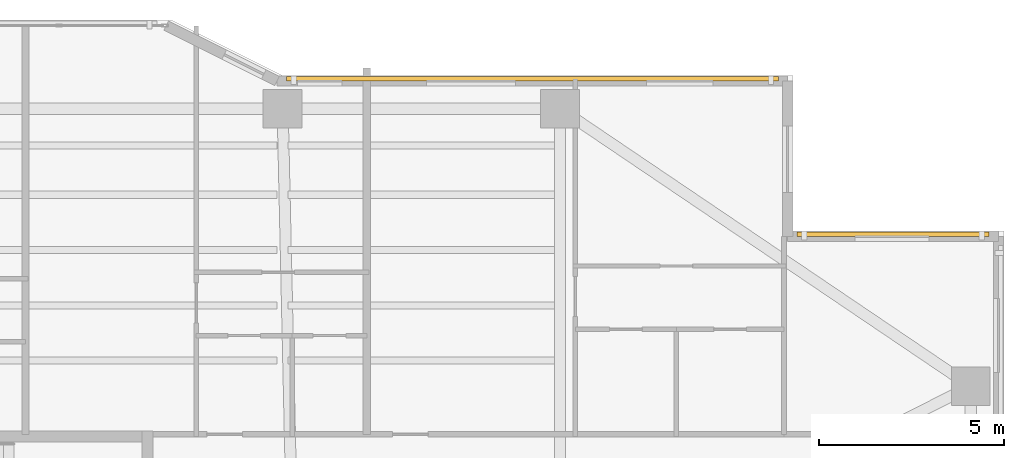
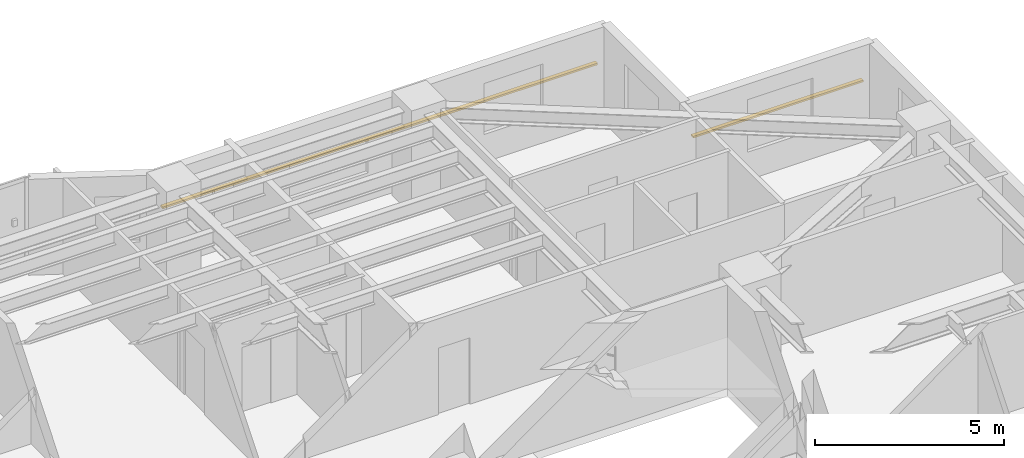
# One storey, part 18 of 18: 2 shading devices.
"""IFC4 building model written with IfcOpenShell, lengths in metres."""

import ifcopenshell
import ifcopenshell.guid

model = None  # the IFC model being written
_history = None  # IfcOwnerHistory: only IFC2X3 demands one
_inside = {}  # id of a spatial element -> (the spatial element, [elements in it])
_under = {}  # id of a project, library or spatial element -> (it, [spatial elements below it])
_declared = {}  # id of a project -> (the project, [libraries it declares])
_typed = {}  # id of a type object -> (the type object, [elements of that type])
_made_of = {}  # id of a material, layer set ... -> (it, [elements and type objects made of it])


def new_model(schema):
    """Start an empty IFC model of exactly this schema.

    Asked for "IFC4X3", IfcOpenShell would pick the latest addendum, in which some entities
    have other attributes; the version numbers below select the first issue.
    IFC2X3 requires an IfcOwnerHistory on every rooted entity: one is made here for all.
    """
    global model, _history
    if schema == "IFC4X3":
        model = ifcopenshell.file(schema_version=(4, 3, 0, 0))
    else:
        model = ifcopenshell.file(schema=schema)
    _inside.clear()
    _under.clear()
    _declared.clear()
    _typed.clear()
    _made_of.clear()
    _history = None
    if model.schema == "IFC2X3":
        org = make("IfcOrganization", Name="unknown")
        user = make(
            "IfcPersonAndOrganization",
            ThePerson=make("IfcPerson", FamilyName="unknown"),
            TheOrganization=org,
        )
        app = make(
            "IfcApplication",
            ApplicationDeveloper=org,
            Version="unknown",
            ApplicationFullName="unknown",
            ApplicationIdentifier="unknown",
        )
        _history = make(
            "IfcOwnerHistory",
            OwningUser=user,
            OwningApplication=app,
            ChangeAction="ADDED",
            CreationDate=0,
        )
    return model


def make(cls, **values):
    """One entity of the class cls with the attributes given. An attribute that is None is left unset."""
    return model.create_entity(
        cls, **{name: value for name, value in values.items() if value is not None}
    )


def rooted(cls, **values):
    """An entity with a GlobalId (a new one), such as an element, a storey or a relation."""
    return make(cls, GlobalId=ifcopenshell.guid.new(), OwnerHistory=_history, **values)


def si_unit(unit_type, name, prefix=None):
    """IfcSIUnit, for example si_unit("LENGTHUNIT", "METRE", prefix="MILLI")."""
    return make("IfcSIUnit", UnitType=unit_type, Prefix=prefix, Name=name)


def assignment(units):
    """IfcUnitAssignment: the units of a project."""
    return None if units is None else make("IfcUnitAssignment", Units=units)


def point(xyz):
    """IfcCartesianPoint."""
    return None if xyz is None else make("IfcCartesianPoint", Coordinates=xyz)


def direction(xyz):
    """IfcDirection."""
    return None if xyz is None else make("IfcDirection", DirectionRatios=xyz)


def frame(location, z_axis=None, x_axis=None):
    """IfcAxis2Placement3D, a coordinate frame: its origin and axes. An axis left out is left unset."""
    return make(
        "IfcAxis2Placement3D",
        Location=point(location),
        Axis=direction(z_axis),
        RefDirection=direction(x_axis),
    )


def frame_2d(location, x_axis=None):
    """IfcAxis2Placement2D, a coordinate frame in the plane: its origin and x axis."""
    return make(
        "IfcAxis2Placement2D", Location=point(location), RefDirection=direction(x_axis)
    )


def origin():
    """The frame at (0, 0, 0) with its axes left unset."""
    return frame((0.0, 0.0, 0.0))


def origin_2d():
    """The frame at (0, 0) in the plane with its x axis left unset."""
    return frame_2d((0.0, 0.0))


def place(relative_to, where):
    """IfcLocalPlacement: puts the frame where relative to a parent placement (None: the world)."""
    return make(
        "IfcLocalPlacement", PlacementRelTo=relative_to, RelativePlacement=where
    )


def context(
    kind, dimensions, precision=None, world=None, true_north=None, identifier=None
):
    """IfcGeometricRepresentationContext, for example the 3D "Model" context."""
    return make(
        "IfcGeometricRepresentationContext",
        ContextIdentifier=identifier,
        ContextType=kind,
        CoordinateSpaceDimension=dimensions,
        Precision=precision,
        WorldCoordinateSystem=world,
        TrueNorth=true_north,
    )


def subcontext(parent, identifier, kind, view, scale=None):
    """IfcGeometricRepresentationSubContext, for example "Body" below "Model"."""
    return make(
        "IfcGeometricRepresentationSubContext",
        ContextIdentifier=identifier,
        ContextType=kind,
        ParentContext=parent,
        TargetScale=scale,
        TargetView=view,
    )


def project(units=None, contexts=None):
    """IfcProject with its units and contexts."""
    return rooted(
        "IfcProject",
        Name="project",
        RepresentationContexts=contexts,
        UnitsInContext=assignment(units),
    )


def spatial(cls, under=None, at=None, **own):
    """A site, building, storey or space (cls), placed at a placement, below another one or the project."""
    s = rooted(cls, ObjectPlacement=at, **own)
    if under is not None:
        _under.setdefault(under.id(), (under, []))[1].append(s)
    return s


def profile(cls, at=None, kind="AREA", **sizes):
    """A parametric profile (cls). Its sizes go by their IFC names, for example OverallWidth=200.0."""
    return make(cls, ProfileType=kind, Position=at, **sizes)


def rectangle(**sizes):
    """IfcRectangleProfileDef."""
    return profile("IfcRectangleProfileDef", **sizes)


def extrude(swept, where, along, depth):
    """IfcExtrudedAreaSolid: the profile swept, set in the frame where, extruded along a direction by depth."""
    return make(
        "IfcExtrudedAreaSolid",
        SweptArea=swept,
        Position=where,
        ExtrudedDirection=direction(along),
        Depth=depth,
    )


def shape(context_of_items, identifier, shape_type, items):
    """IfcShapeRepresentation: the items that make up one representation, for example the "Body"."""
    return make(
        "IfcShapeRepresentation",
        ContextOfItems=context_of_items,
        RepresentationIdentifier=identifier,
        RepresentationType=shape_type,
        Items=items,
    )


def material(Name=None, Category=None):
    """IfcMaterial."""
    return make("IfcMaterial", Name=Name, Category=Category)


def material_profile(
    of_material, cross_section, Name=None, Category=None, Priority=None
):
    """IfcMaterialProfile: a cross section and its material."""
    return make(
        "IfcMaterialProfile",
        Name=Name,
        Material=of_material,
        Profile=cross_section,
        Priority=Priority,
        Category=Category,
    )


def profile_set(profiles, Name=None, composite=None):
    """IfcMaterialProfileSet."""
    return make(
        "IfcMaterialProfileSet",
        Name=Name,
        MaterialProfiles=profiles,
        CompositeProfile=composite,
    )


def made_of(thing, what):
    """Note that an element or type object is made of a material, layer set ...; save() writes the relation."""
    if what is not None:
        _made_of.setdefault(what.id(), (what, []))[1].append(thing)
    return thing


def type_object(cls, material=None, **own):
    """A type object (cls), such as IfcWallType, which elements share."""
    return made_of(rooted(cls, **own), material)


def element(
    cls,
    number,
    at=None,
    inside=None,
    cuts=None,
    type_object=None,
    material=None,
    context=None,
    identifier="Body",
    shape_type=None,
    held_by="IfcProductDefinitionShape",
    body=None,
    shapes=None,
    **own,
):
    """One element of the class cls, such as IfcWall. Its Tag is "e" and its number.

    at: its placement. inside: the storey or other place that contains it. cuts: it is an
    opening in that element (IfcRelVoidsElement). A single representation is given by context,
    identifier, shape_type and body (its items); several are given by shapes. held_by: the class
    of the entity that holds the representations. save() writes the other relations.
    """
    e = rooted(cls, Tag="e%d" % number, ObjectPlacement=at, **own)
    if body is not None:
        shapes = [shape(context, identifier, shape_type, body)]
    if shapes is not None:
        e.Representation = make(held_by, Representations=shapes)
    if inside is not None:
        _inside.setdefault(inside.id(), (inside, []))[1].append(e)
    if cuts is not None:
        rooted(
            "IfcRelVoidsElement", RelatingBuildingElement=cuts, RelatedOpeningElement=e
        )
    if type_object is not None:
        _typed.setdefault(type_object.id(), (type_object, []))[1].append(e)
    return made_of(e, material)


def aggregate(whole, parts):
    """IfcRelAggregates: a whole, such as a stair, and the parts it consists of."""
    return rooted("IfcRelAggregates", RelatingObject=whole, RelatedObjects=parts)


def save(model, path):
    """Write the relations noted so far, then the file.

    IfcRelAggregates (storeys below a building ...), IfcRelContainedInSpatialStructure (elements
    in a storey), IfcRelDefinesByType, IfcRelAssociatesMaterial and IfcRelDeclares: one each for
    every whole, place, type object, material and project.
    """
    for whole, parts in _under.values():
        aggregate(whole, parts)
    for where, things in _inside.values():
        rooted(
            "IfcRelContainedInSpatialStructure",
            RelatedElements=things,
            RelatingStructure=where,
        )
    for kind, things in _typed.values():
        rooted("IfcRelDefinesByType", RelatedObjects=things, RelatingType=kind)
    for what, things in _made_of.values():
        rooted("IfcRelAssociatesMaterial", RelatedObjects=things, RelatingMaterial=what)
    for by, libraries in _declared.values():
        rooted("IfcRelDeclares", RelatingContext=by, RelatedDefinitions=libraries)
    model.write(path)


model = new_model("IFC4")

# Units and contexts
model_context = context("Model", 3, precision=1e-05, world=origin(), true_north=direction((0.0, 1.0)))
body_context = subcontext(model_context, "Body", "Model", "MODEL_VIEW")
ifc_project = project(units=[si_unit("LENGTHUNIT", "METRE"), si_unit("AREAUNIT", "SQUARE_METRE"), si_unit("VOLUMEUNIT", "CUBIC_METRE"), si_unit("PLANEANGLEUNIT", "RADIAN"), si_unit("MASSUNIT", "GRAM", prefix="KILO")], contexts=[model_context])

# Site, building, storey
site_placement = place(None, origin())
site = spatial("IfcSite", under=ifc_project, at=site_placement, CompositionType="ELEMENT")
building_placement = place(site_placement, origin())
building = spatial("IfcBuilding", under=site, at=building_placement, Name="Tarnavaz Court Tower", CompositionType="ELEMENT")
storey_placement = place(building_placement, frame((0.0, 0.0, 95.050048828125)))
storey = spatial("IfcBuildingStorey", under=building, at=storey_placement, Name="L25", CompositionType="ELEMENT", Elevation=95.050048828125)

# Shading devices
ifc_material = material(Name="Kiln-Fired Khorasan Terracotta Ceramic", Category="masonry")
ifc_material_profile = material_profile(ifc_material, rectangle(XDim=0.1201171875, YDim=0.06005859375, at=origin_2d()), Name="TC BAGUETTE 120X60")
ifc_profile_set = profile_set([ifc_material_profile], Name="Kiln-Fired Khorasan Terracotta Ceramic")
shading_device_type = type_object("IfcShadingDeviceType", Name="SD-BAG-120", PredefinedType="USERDEFINED", material=ifc_profile_set)
shading_device_1_placement = place(storey_placement, frame((7.60009765625, 22.110107421875, 1.849853515625), z_axis=(1.0, 0.0, 0.0), x_axis=(0.0, 1.0, 0.0)))
element("IfcShadingDevice", 1, at=shading_device_1_placement, inside=storey, type_object=shading_device_type, Name="L25 Terracotta Baguette Screen FBG09", ObjectType="BAGUETTE", PredefinedType="USERDEFINED", context=body_context, shape_type="SweptSolid", body=[
    extrude(rectangle(XDim=0.1201171875, YDim=0.06005859375, at=origin_2d()), origin(), (0.0, 0.0, 1.0), 13.2998046875),
])
shading_device_2_placement = place(storey_placement, frame((21.39990234375, 17.909912109375, 1.849853515625), z_axis=(1.0, 0.0, 0.0), x_axis=(0.0, 1.0, 0.0)))
element("IfcShadingDevice", 2, at=shading_device_2_placement, inside=storey, type_object=shading_device_type, Name="L25 Terracotta Baguette Screen FBG11", ObjectType="BAGUETTE", PredefinedType="USERDEFINED", context=body_context, shape_type="SweptSolid", body=[
    extrude(rectangle(XDim=0.1201171875, YDim=0.06005859375, at=origin_2d()), origin(), (0.0, 0.0, 1.0), 5.2001953125),
])

save(model, "model.ifc")
